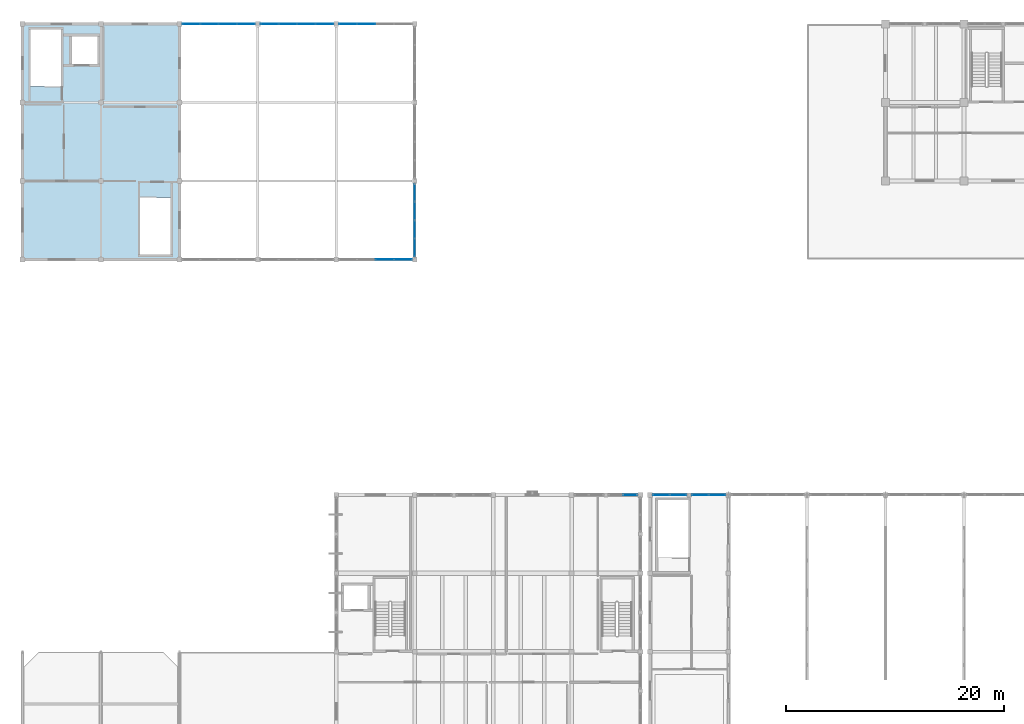
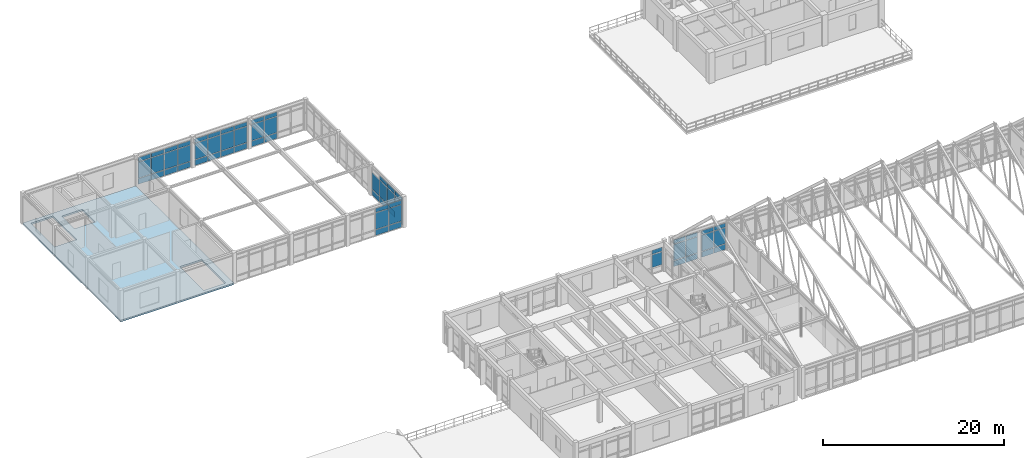
# One storey, part 82 of 136: 61 plates, 1 slab, 8 elements without a shape of their own.
"""IFC4 building model written with IfcOpenShell, lengths in metres."""

from ifc_helpers import new_model, si_unit, direction, frame, origin, origin_2d, place, context, subcontext, project, spatial, polyline, rectangle, outline, extrude, material, layer, layer_set, type_object, element, aggregate, save


model = new_model("IFC4")

# Units and contexts
model_context = context("Model", 3, precision=1e-05, world=origin(), true_north=direction((0.0, 1.0)))
body_context = subcontext(model_context, "Body", "Model", "MODEL_VIEW")
ifc_project = project(units=[si_unit("LENGTHUNIT", "METRE"), si_unit("AREAUNIT", "SQUARE_METRE"), si_unit("VOLUMEUNIT", "CUBIC_METRE"), si_unit("PLANEANGLEUNIT", "RADIAN"), si_unit("MASSUNIT", "GRAM", prefix="KILO")], contexts=[model_context])

# Site, building, storey
site_placement = place(None, origin())
site = spatial("IfcSite", under=ifc_project, at=site_placement, CompositionType="ELEMENT")
building_placement = place(site_placement, origin())
building = spatial("IfcBuilding", under=site, at=building_placement, Name="Koriwan Promenade Central Fire Station", CompositionType="ELEMENT")
storey_placement = place(building_placement, frame((0.0, 0.0, 5.39990234375)))
storey = spatial("IfcBuildingStorey", under=building, at=storey_placement, Name="L01", CompositionType="ELEMENT", Elevation=5.39990234375)

# Curtain wall, plates
ifc_material_1 = material(Name="Aluminium EN AW-6063-T6 and low-E glazing", Category="aluminium")
ifc_layer_1 = layer(ifc_material_1, 0.159912109375, Name="Aluminium EN AW-6063-T6 and low-E glazing")
ifc_layer_set_1 = layer_set([ifc_layer_1], Name="Aluminium EN AW-6063-T6 and low-E glazing")
curtain_wall_type_1 = type_object("IfcCurtainWallType", Name="CurtainWall_95_675x372", PredefinedType="USERDEFINED", material=ifc_layer_set_1)
curtain_wall_1_placement = place(storey_placement, origin())
curtain_wall_1 = element("IfcCurtainWall", 1, at=curtain_wall_1_placement, inside=storey, type_object=curtain_wall_type_1, Name="V6 L01 unitised curtain wall 300", ObjectType="UNITISED CURTAIN WALL", PredefinedType="USERDEFINED")
ifc_material_2 = material(Name="Low-E laminated double glazing", Category="glass")
ifc_layer_2 = layer(ifc_material_2, 0.028076171875, Name="Low-E laminated double glazing")
ifc_layer_set_2 = layer_set([ifc_layer_2], Name="Low-E laminated double glazing")
plate_type_1 = type_object("IfcPlateType", Name="CWPanel_28", PredefinedType="CURTAIN_PANEL", material=ifc_layer_set_2)
plate_1_placement = place(storey_placement, frame((15.485107421875, 115.199951171875, 0.065185546875), z_axis=(0.0, 0.0, 1.0), x_axis=(1.0, 0.0, 0.0)))
plate_1 = element("IfcPlate", 2, at=plate_1_placement, type_object=plate_type_1, Name="CW-95 panel 1.1", PredefinedType="CURTAIN_PANEL", context=body_context, shape_type="SweptSolid", body=[
    extrude(rectangle(XDim=1.590087890625, YDim=0.028076171875, at=origin_2d()), origin(), (0.0, 0.0, 1.0), 0.75244140625),
])
plate_2_placement = place(storey_placement, frame((15.485107421875, 115.199951171875, 0.8828125), z_axis=(0.0, 0.0, 1.0), x_axis=(1.0, 0.0, 0.0)))
plate_2 = element("IfcPlate", 3, at=plate_2_placement, type_object=plate_type_1, Name="CW-95 panel 1.2", PredefinedType="CURTAIN_PANEL", context=body_context, shape_type="SweptSolid", body=[
    extrude(rectangle(XDim=1.590087890625, YDim=0.028076171875, at=origin_2d()), origin(), (0.0, 0.0, 1.0), 2.156005859375),
])
plate_3_placement = place(storey_placement, frame((15.485107421875, 115.199951171875, 3.103515625), z_axis=(0.0, 0.0, 1.0), x_axis=(1.0, 0.0, 0.0)))
plate_3 = element("IfcPlate", 4, at=plate_3_placement, type_object=plate_type_1, Name="CW-95 panel 1.3", PredefinedType="CURTAIN_PANEL", context=body_context, shape_type="SweptSolid", body=[
    extrude(rectangle(XDim=1.590087890625, YDim=0.028076171875, at=origin_2d()), origin(), (0.0, 0.0, 1.0), 0.552490234375),
])
plate_4_placement = place(storey_placement, frame((17.15625, 115.199951171875, 0.065185546875), z_axis=(0.0, 0.0, 1.0), x_axis=(1.0, 0.0, 0.0)))
plate_4 = element("IfcPlate", 5, at=plate_4_placement, type_object=plate_type_1, Name="CW-95 panel 2.1", PredefinedType="CURTAIN_PANEL", context=body_context, shape_type="SweptSolid", body=[
    extrude(rectangle(XDim=1.62255859375, YDim=0.028076171875, at=origin_2d()), origin(), (0.0, 0.0, 1.0), 0.75244140625),
])
plate_5_placement = place(storey_placement, frame((17.15625, 115.199951171875, 0.8828125), z_axis=(0.0, 0.0, 1.0), x_axis=(1.0, 0.0, 0.0)))
plate_5 = element("IfcPlate", 6, at=plate_5_placement, type_object=plate_type_1, Name="CW-95 panel 2.2", PredefinedType="CURTAIN_PANEL", context=body_context, shape_type="SweptSolid", body=[
    extrude(rectangle(XDim=1.62255859375, YDim=0.028076171875, at=origin_2d()), origin(), (0.0, 0.0, 1.0), 2.156005859375),
])
plate_6_placement = place(storey_placement, frame((17.15625, 115.199951171875, 3.103515625), z_axis=(0.0, 0.0, 1.0), x_axis=(1.0, 0.0, 0.0)))
plate_6 = element("IfcPlate", 7, at=plate_6_placement, type_object=plate_type_1, Name="CW-95 panel 2.3", PredefinedType="CURTAIN_PANEL", context=body_context, shape_type="SweptSolid", body=[
    extrude(rectangle(XDim=1.62255859375, YDim=0.028076171875, at=origin_2d()), origin(), (0.0, 0.0, 1.0), 0.552490234375),
])
plate_7_placement = place(storey_placement, frame((18.84375, 115.199951171875, 0.065185546875), z_axis=(0.0, 0.0, 1.0), x_axis=(1.0, 0.0, 0.0)))
plate_7 = element("IfcPlate", 8, at=plate_7_placement, type_object=plate_type_1, Name="CW-95 panel 3.1", PredefinedType="CURTAIN_PANEL", context=body_context, shape_type="SweptSolid", body=[
    extrude(rectangle(XDim=1.62255859375, YDim=0.028076171875, at=origin_2d()), origin(), (0.0, 0.0, 1.0), 0.75244140625),
])
plate_8_placement = place(storey_placement, frame((18.84375, 115.199951171875, 0.8828125), z_axis=(0.0, 0.0, 1.0), x_axis=(1.0, 0.0, 0.0)))
plate_8 = element("IfcPlate", 9, at=plate_8_placement, type_object=plate_type_1, Name="CW-95 panel 3.2", PredefinedType="CURTAIN_PANEL", context=body_context, shape_type="SweptSolid", body=[
    extrude(rectangle(XDim=1.62255859375, YDim=0.028076171875, at=origin_2d()), origin(), (0.0, 0.0, 1.0), 2.156005859375),
])
plate_9_placement = place(storey_placement, frame((18.84375, 115.199951171875, 3.103515625), z_axis=(0.0, 0.0, 1.0), x_axis=(1.0, 0.0, 0.0)))
plate_9 = element("IfcPlate", 10, at=plate_9_placement, type_object=plate_type_1, Name="CW-95 panel 3.3", PredefinedType="CURTAIN_PANEL", context=body_context, shape_type="SweptSolid", body=[
    extrude(rectangle(XDim=1.62255859375, YDim=0.028076171875, at=origin_2d()), origin(), (0.0, 0.0, 1.0), 0.552490234375),
])
plate_10_placement = place(storey_placement, frame((20.514892578125, 115.199951171875, 0.065185546875), z_axis=(0.0, 0.0, 1.0), x_axis=(1.0, 0.0, 0.0)))
plate_10 = element("IfcPlate", 11, at=plate_10_placement, type_object=plate_type_1, Name="CW-95 panel 4.1", PredefinedType="CURTAIN_PANEL", context=body_context, shape_type="SweptSolid", body=[
    extrude(rectangle(XDim=1.590087890625, YDim=0.028076171875, at=origin_2d()), origin(), (0.0, 0.0, 1.0), 0.75244140625),
])
plate_11_placement = place(storey_placement, frame((20.514892578125, 115.199951171875, 0.8828125), z_axis=(0.0, 0.0, 1.0), x_axis=(1.0, 0.0, 0.0)))
plate_11 = element("IfcPlate", 12, at=plate_11_placement, type_object=plate_type_1, Name="CW-95 panel 4.2", PredefinedType="CURTAIN_PANEL", context=body_context, shape_type="SweptSolid", body=[
    extrude(rectangle(XDim=1.590087890625, YDim=0.028076171875, at=origin_2d()), origin(), (0.0, 0.0, 1.0), 2.156005859375),
])
plate_12_placement = place(storey_placement, frame((20.514892578125, 115.199951171875, 3.103515625), z_axis=(0.0, 0.0, 1.0), x_axis=(1.0, 0.0, 0.0)))
plate_12 = element("IfcPlate", 13, at=plate_12_placement, type_object=plate_type_1, Name="CW-95 panel 4.3", PredefinedType="CURTAIN_PANEL", context=body_context, shape_type="SweptSolid", body=[
    extrude(rectangle(XDim=1.590087890625, YDim=0.028076171875, at=origin_2d()), origin(), (0.0, 0.0, 1.0), 0.552490234375),
])
aggregate(curtain_wall_1, [plate_1, plate_2, plate_3, plate_4, plate_5, plate_6, plate_7, plate_8, plate_9, plate_10, plate_11, plate_12])

curtain_wall_2_placement = place(storey_placement, origin())
curtain_wall_2 = element("IfcCurtainWall", 14, at=curtain_wall_2_placement, inside=storey, type_object=curtain_wall_type_1, Name="V6 L01 unitised curtain wall 302", ObjectType="UNITISED CURTAIN WALL", PredefinedType="USERDEFINED")
plate_13_placement = place(storey_placement, frame((22.68505859375, 115.199951171875, 0.065185546875), z_axis=(0.0, 0.0, 1.0), x_axis=(1.0, 0.0, 0.0)))
plate_13 = element("IfcPlate", 15, at=plate_13_placement, type_object=plate_type_1, Name="CW-95 panel 1.1", PredefinedType="CURTAIN_PANEL", context=body_context, shape_type="SweptSolid", body=[
    extrude(rectangle(XDim=1.590087890625, YDim=0.028076171875, at=origin_2d()), origin(), (0.0, 0.0, 1.0), 0.75244140625),
])
plate_14_placement = place(storey_placement, frame((22.68505859375, 115.199951171875, 0.8828125), z_axis=(0.0, 0.0, 1.0), x_axis=(1.0, 0.0, 0.0)))
plate_14 = element("IfcPlate", 16, at=plate_14_placement, type_object=plate_type_1, Name="CW-95 panel 1.2", PredefinedType="CURTAIN_PANEL", context=body_context, shape_type="SweptSolid", body=[
    extrude(rectangle(XDim=1.590087890625, YDim=0.028076171875, at=origin_2d()), origin(), (0.0, 0.0, 1.0), 2.156005859375),
])
plate_15_placement = place(storey_placement, frame((22.68505859375, 115.199951171875, 3.103515625), z_axis=(0.0, 0.0, 1.0), x_axis=(1.0, 0.0, 0.0)))
plate_15 = element("IfcPlate", 17, at=plate_15_placement, type_object=plate_type_1, Name="CW-95 panel 1.3", PredefinedType="CURTAIN_PANEL", context=body_context, shape_type="SweptSolid", body=[
    extrude(rectangle(XDim=1.590087890625, YDim=0.028076171875, at=origin_2d()), origin(), (0.0, 0.0, 1.0), 0.552490234375),
])
plate_16_placement = place(storey_placement, frame((24.356201171875, 115.199951171875, 0.065185546875), z_axis=(0.0, 0.0, 1.0), x_axis=(1.0, 0.0, 0.0)))
plate_16 = element("IfcPlate", 18, at=plate_16_placement, type_object=plate_type_1, Name="CW-95 panel 2.1", PredefinedType="CURTAIN_PANEL", context=body_context, shape_type="SweptSolid", body=[
    extrude(rectangle(XDim=1.62255859375, YDim=0.028076171875, at=origin_2d()), origin(), (0.0, 0.0, 1.0), 0.75244140625),
])
plate_17_placement = place(storey_placement, frame((24.356201171875, 115.199951171875, 0.8828125), z_axis=(0.0, 0.0, 1.0), x_axis=(1.0, 0.0, 0.0)))
plate_17 = element("IfcPlate", 19, at=plate_17_placement, type_object=plate_type_1, Name="CW-95 panel 2.2", PredefinedType="CURTAIN_PANEL", context=body_context, shape_type="SweptSolid", body=[
    extrude(rectangle(XDim=1.62255859375, YDim=0.028076171875, at=origin_2d()), origin(), (0.0, 0.0, 1.0), 2.156005859375),
])
plate_18_placement = place(storey_placement, frame((24.356201171875, 115.199951171875, 3.103515625), z_axis=(0.0, 0.0, 1.0), x_axis=(1.0, 0.0, 0.0)))
plate_18 = element("IfcPlate", 20, at=plate_18_placement, type_object=plate_type_1, Name="CW-95 panel 2.3", PredefinedType="CURTAIN_PANEL", context=body_context, shape_type="SweptSolid", body=[
    extrude(rectangle(XDim=1.62255859375, YDim=0.028076171875, at=origin_2d()), origin(), (0.0, 0.0, 1.0), 0.552490234375),
])
plate_19_placement = place(storey_placement, frame((26.043701171875, 115.199951171875, 0.065185546875), z_axis=(0.0, 0.0, 1.0), x_axis=(1.0, 0.0, 0.0)))
plate_19 = element("IfcPlate", 21, at=plate_19_placement, type_object=plate_type_1, Name="CW-95 panel 3.1", PredefinedType="CURTAIN_PANEL", context=body_context, shape_type="SweptSolid", body=[
    extrude(rectangle(XDim=1.62255859375, YDim=0.028076171875, at=origin_2d()), origin(), (0.0, 0.0, 1.0), 0.75244140625),
])
plate_20_placement = place(storey_placement, frame((26.043701171875, 115.199951171875, 0.8828125), z_axis=(0.0, 0.0, 1.0), x_axis=(1.0, 0.0, 0.0)))
plate_20 = element("IfcPlate", 22, at=plate_20_placement, type_object=plate_type_1, Name="CW-95 panel 3.2", PredefinedType="CURTAIN_PANEL", context=body_context, shape_type="SweptSolid", body=[
    extrude(rectangle(XDim=1.62255859375, YDim=0.028076171875, at=origin_2d()), origin(), (0.0, 0.0, 1.0), 2.156005859375),
])
plate_21_placement = place(storey_placement, frame((26.043701171875, 115.199951171875, 3.103515625), z_axis=(0.0, 0.0, 1.0), x_axis=(1.0, 0.0, 0.0)))
plate_21 = element("IfcPlate", 23, at=plate_21_placement, type_object=plate_type_1, Name="CW-95 panel 3.3", PredefinedType="CURTAIN_PANEL", context=body_context, shape_type="SweptSolid", body=[
    extrude(rectangle(XDim=1.62255859375, YDim=0.028076171875, at=origin_2d()), origin(), (0.0, 0.0, 1.0), 0.552490234375),
])
plate_22_placement = place(storey_placement, frame((27.715087890625, 115.199951171875, 0.065185546875), z_axis=(0.0, 0.0, 1.0), x_axis=(1.0, 0.0, 0.0)))
plate_22 = element("IfcPlate", 24, at=plate_22_placement, type_object=plate_type_1, Name="CW-95 panel 4.1", PredefinedType="CURTAIN_PANEL", context=body_context, shape_type="SweptSolid", body=[
    extrude(rectangle(XDim=1.590087890625, YDim=0.028076171875, at=origin_2d()), origin(), (0.0, 0.0, 1.0), 0.75244140625),
])
plate_23_placement = place(storey_placement, frame((27.715087890625, 115.199951171875, 0.8828125), z_axis=(0.0, 0.0, 1.0), x_axis=(1.0, 0.0, 0.0)))
plate_23 = element("IfcPlate", 25, at=plate_23_placement, type_object=plate_type_1, Name="CW-95 panel 4.2", PredefinedType="CURTAIN_PANEL", context=body_context, shape_type="SweptSolid", body=[
    extrude(rectangle(XDim=1.590087890625, YDim=0.028076171875, at=origin_2d()), origin(), (0.0, 0.0, 1.0), 2.156005859375),
])
plate_24_placement = place(storey_placement, frame((27.715087890625, 115.199951171875, 3.103515625), z_axis=(0.0, 0.0, 1.0), x_axis=(1.0, 0.0, 0.0)))
plate_24 = element("IfcPlate", 26, at=plate_24_placement, type_object=plate_type_1, Name="CW-95 panel 4.3", PredefinedType="CURTAIN_PANEL", context=body_context, shape_type="SweptSolid", body=[
    extrude(rectangle(XDim=1.590087890625, YDim=0.028076171875, at=origin_2d()), origin(), (0.0, 0.0, 1.0), 0.552490234375),
])
aggregate(curtain_wall_2, [plate_13, plate_14, plate_15, plate_16, plate_17, plate_18, plate_19, plate_20, plate_21, plate_22, plate_23, plate_24])

ifc_layer_3 = layer(ifc_material_1, 0.159912109375, Name="Aluminium EN AW-6063-T6 and low-E glazing")
ifc_layer_set_3 = layer_set([ifc_layer_3], Name="Aluminium EN AW-6063-T6 and low-E glazing")
curtain_wall_type_2 = type_object("IfcCurtainWallType", Name="CurtainWall_94_675x378", PredefinedType="USERDEFINED", material=ifc_layer_set_3)
curtain_wall_3_placement = place(storey_placement, origin())
curtain_wall_3 = element("IfcCurtainWall", 27, at=curtain_wall_3_placement, inside=storey, type_object=curtain_wall_type_2, Name="V6 L01 unitised curtain wall 303", ObjectType="UNITISED CURTAIN WALL", PredefinedType="USERDEFINED")
plate_25_placement = place(storey_placement, frame((33.24365234375, 93.60009765625, 0.065185546875), z_axis=(0.0, 0.0, 1.0), x_axis=(1.0, 0.0, 0.0)))
plate_25 = element("IfcPlate", 28, at=plate_25_placement, type_object=plate_type_1, Name="CW-94 panel 3.1", PredefinedType="CURTAIN_PANEL", context=body_context, shape_type="SweptSolid", body=[
    extrude(rectangle(XDim=1.62255859375, YDim=0.028076171875, at=origin_2d()), origin(), (0.0, 0.0, 1.0), 0.75244140625),
])
plate_26_placement = place(storey_placement, frame((33.24365234375, 93.60009765625, 0.882568359375), z_axis=(0.0, 0.0, 1.0), x_axis=(1.0, 0.0, 0.0)))
plate_26 = element("IfcPlate", 29, at=plate_26_placement, type_object=plate_type_1, Name="CW-94 panel 3.2", PredefinedType="CURTAIN_PANEL", context=body_context, shape_type="SweptSolid", body=[
    extrude(rectangle(XDim=1.62255859375, YDim=0.028076171875, at=origin_2d()), origin(), (0.0, 0.0, 1.0), 2.2099609375),
])
plate_27_placement = place(storey_placement, frame((33.24365234375, 93.60009765625, 3.15771484375), z_axis=(0.0, 0.0, 1.0), x_axis=(1.0, 0.0, 0.0)))
plate_27 = element("IfcPlate", 30, at=plate_27_placement, type_object=plate_type_1, Name="CW-94 panel 3.3", PredefinedType="CURTAIN_PANEL", context=body_context, shape_type="SweptSolid", body=[
    extrude(rectangle(XDim=1.62255859375, YDim=0.028076171875, at=origin_2d()), origin(), (0.0, 0.0, 1.0), 0.552490234375),
])
plate_28_placement = place(storey_placement, frame((34.9150390625, 93.60009765625, 0.065185546875), z_axis=(0.0, 0.0, 1.0), x_axis=(1.0, 0.0, 0.0)))
plate_28 = element("IfcPlate", 31, at=plate_28_placement, type_object=plate_type_1, Name="CW-94 panel 4.1", PredefinedType="CURTAIN_PANEL", context=body_context, shape_type="SweptSolid", body=[
    extrude(rectangle(XDim=1.590087890625, YDim=0.028076171875, at=origin_2d()), origin(), (0.0, 0.0, 1.0), 0.75244140625),
])
plate_29_placement = place(storey_placement, frame((34.9150390625, 93.60009765625, 0.882568359375), z_axis=(0.0, 0.0, 1.0), x_axis=(1.0, 0.0, 0.0)))
plate_29 = element("IfcPlate", 32, at=plate_29_placement, type_object=plate_type_1, Name="CW-94 panel 4.2", PredefinedType="CURTAIN_PANEL", context=body_context, shape_type="SweptSolid", body=[
    extrude(rectangle(XDim=1.590087890625, YDim=0.028076171875, at=origin_2d()), origin(), (0.0, 0.0, 1.0), 2.2099609375),
])
plate_30_placement = place(storey_placement, frame((34.9150390625, 93.60009765625, 3.15771484375), z_axis=(0.0, 0.0, 1.0), x_axis=(1.0, 0.0, 0.0)))
plate_30 = element("IfcPlate", 33, at=plate_30_placement, type_object=plate_type_1, Name="CW-94 panel 4.3", PredefinedType="CURTAIN_PANEL", context=body_context, shape_type="SweptSolid", body=[
    extrude(rectangle(XDim=1.590087890625, YDim=0.028076171875, at=origin_2d()), origin(), (0.0, 0.0, 1.0), 0.552490234375),
])
aggregate(curtain_wall_3, [plate_25, plate_26, plate_27, plate_28, plate_29, plate_30])

curtain_wall_4_placement = place(storey_placement, origin())
curtain_wall_4 = element("IfcCurtainWall", 34, at=curtain_wall_4_placement, inside=storey, type_object=curtain_wall_type_1, Name="V6 L01 unitised curtain wall 304", ObjectType="UNITISED CURTAIN WALL", PredefinedType="USERDEFINED")
plate_31_placement = place(storey_placement, frame((29.885009765625, 115.199951171875, 0.065185546875), z_axis=(0.0, 0.0, 1.0), x_axis=(1.0, 0.0, 0.0)))
plate_31 = element("IfcPlate", 35, at=plate_31_placement, type_object=plate_type_1, Name="CW-95 panel 1.1", PredefinedType="CURTAIN_PANEL", context=body_context, shape_type="SweptSolid", body=[
    extrude(rectangle(XDim=1.590087890625, YDim=0.028076171875, at=origin_2d()), origin(), (0.0, 0.0, 1.0), 0.75244140625),
])
plate_32_placement = place(storey_placement, frame((29.885009765625, 115.199951171875, 0.8828125), z_axis=(0.0, 0.0, 1.0), x_axis=(1.0, 0.0, 0.0)))
plate_32 = element("IfcPlate", 36, at=plate_32_placement, type_object=plate_type_1, Name="CW-95 panel 1.2", PredefinedType="CURTAIN_PANEL", context=body_context, shape_type="SweptSolid", body=[
    extrude(rectangle(XDim=1.590087890625, YDim=0.028076171875, at=origin_2d()), origin(), (0.0, 0.0, 1.0), 2.156005859375),
])
plate_33_placement = place(storey_placement, frame((29.885009765625, 115.199951171875, 3.103515625), z_axis=(0.0, 0.0, 1.0), x_axis=(1.0, 0.0, 0.0)))
plate_33 = element("IfcPlate", 37, at=plate_33_placement, type_object=plate_type_1, Name="CW-95 panel 1.3", PredefinedType="CURTAIN_PANEL", context=body_context, shape_type="SweptSolid", body=[
    extrude(rectangle(XDim=1.590087890625, YDim=0.028076171875, at=origin_2d()), origin(), (0.0, 0.0, 1.0), 0.552490234375),
])
plate_34_placement = place(storey_placement, frame((31.55615234375, 115.199951171875, 0.065185546875), z_axis=(0.0, 0.0, 1.0), x_axis=(1.0, 0.0, 0.0)))
plate_34 = element("IfcPlate", 38, at=plate_34_placement, type_object=plate_type_1, Name="CW-95 panel 2.1", PredefinedType="CURTAIN_PANEL", context=body_context, shape_type="SweptSolid", body=[
    extrude(rectangle(XDim=1.62255859375, YDim=0.028076171875, at=origin_2d()), origin(), (0.0, 0.0, 1.0), 0.75244140625),
])
plate_35_placement = place(storey_placement, frame((31.55615234375, 115.199951171875, 0.8828125), z_axis=(0.0, 0.0, 1.0), x_axis=(1.0, 0.0, 0.0)))
plate_35 = element("IfcPlate", 39, at=plate_35_placement, type_object=plate_type_1, Name="CW-95 panel 2.2", PredefinedType="CURTAIN_PANEL", context=body_context, shape_type="SweptSolid", body=[
    extrude(rectangle(XDim=1.62255859375, YDim=0.028076171875, at=origin_2d()), origin(), (0.0, 0.0, 1.0), 2.156005859375),
])
plate_36_placement = place(storey_placement, frame((31.55615234375, 115.199951171875, 3.103515625), z_axis=(0.0, 0.0, 1.0), x_axis=(1.0, 0.0, 0.0)))
plate_36 = element("IfcPlate", 40, at=plate_36_placement, type_object=plate_type_1, Name="CW-95 panel 2.3", PredefinedType="CURTAIN_PANEL", context=body_context, shape_type="SweptSolid", body=[
    extrude(rectangle(XDim=1.62255859375, YDim=0.028076171875, at=origin_2d()), origin(), (0.0, 0.0, 1.0), 0.552490234375),
])
aggregate(curtain_wall_4, [plate_31, plate_32, plate_33, plate_34, plate_35, plate_36])

ifc_layer_4 = layer(ifc_material_1, 0.159912109375, Name="Aluminium EN AW-6063-T6 and low-E glazing")
ifc_layer_set_4 = layer_set([ifc_layer_4], Name="Aluminium EN AW-6063-T6 and low-E glazing")
curtain_wall_type_3 = type_object("IfcCurtainWallType", Name="CurtainWall_96_675x377", PredefinedType="USERDEFINED", material=ifc_layer_set_4)
curtain_wall_5_placement = place(storey_placement, origin())
curtain_wall_5 = element("IfcCurtainWall", 41, at=curtain_wall_5_placement, inside=storey, type_object=curtain_wall_type_3, Name="V6 L01 unitised curtain wall 305", ObjectType="UNITISED CURTAIN WALL", PredefinedType="USERDEFINED")
plate_37_placement = place(storey_placement, frame((36.0, 94.68505859375, 0.065185546875), z_axis=(0.0, 0.0, 1.0), x_axis=(0.0, 1.0, 0.0)))
plate_37 = element("IfcPlate", 42, at=plate_37_placement, type_object=plate_type_1, Name="CW-96 panel 1.1", PredefinedType="CURTAIN_PANEL", context=body_context, shape_type="SweptSolid", body=[
    extrude(rectangle(XDim=1.590087890625, YDim=0.028076171875, at=origin_2d()), origin(), (0.0, 0.0, 1.0), 0.75244140625),
])
plate_38_placement = place(storey_placement, frame((36.0, 94.68505859375, 0.882568359375), z_axis=(0.0, 0.0, 1.0), x_axis=(0.0, 1.0, 0.0)))
plate_38 = element("IfcPlate", 43, at=plate_38_placement, type_object=plate_type_1, Name="CW-96 panel 1.2", PredefinedType="CURTAIN_PANEL", context=body_context, shape_type="SweptSolid", body=[
    extrude(rectangle(XDim=1.590087890625, YDim=0.028076171875, at=origin_2d()), origin(), (0.0, 0.0, 1.0), 2.2080078125),
])
plate_39_placement = place(storey_placement, frame((36.0, 94.68505859375, 3.15576171875), z_axis=(0.0, 0.0, 1.0), x_axis=(0.0, 1.0, 0.0)))
plate_39 = element("IfcPlate", 44, at=plate_39_placement, type_object=plate_type_1, Name="CW-96 panel 1.3", PredefinedType="CURTAIN_PANEL", context=body_context, shape_type="SweptSolid", body=[
    extrude(rectangle(XDim=1.590087890625, YDim=0.028076171875, at=origin_2d()), origin(), (0.0, 0.0, 1.0), 0.552490234375),
])
plate_40_placement = place(storey_placement, frame((36.0, 96.356201171875, 0.065185546875), z_axis=(0.0, 0.0, 1.0), x_axis=(0.0, 1.0, 0.0)))
plate_40 = element("IfcPlate", 45, at=plate_40_placement, type_object=plate_type_1, Name="CW-96 panel 2.1", PredefinedType="CURTAIN_PANEL", context=body_context, shape_type="SweptSolid", body=[
    extrude(rectangle(XDim=1.62255859375, YDim=0.028076171875, at=origin_2d()), origin(), (0.0, 0.0, 1.0), 0.75244140625),
])
plate_41_placement = place(storey_placement, frame((36.0, 96.356201171875, 0.882568359375), z_axis=(0.0, 0.0, 1.0), x_axis=(0.0, 1.0, 0.0)))
plate_41 = element("IfcPlate", 46, at=plate_41_placement, type_object=plate_type_1, Name="CW-96 panel 2.2", PredefinedType="CURTAIN_PANEL", context=body_context, shape_type="SweptSolid", body=[
    extrude(rectangle(XDim=1.62255859375, YDim=0.028076171875, at=origin_2d()), origin(), (0.0, 0.0, 1.0), 2.2080078125),
])
plate_42_placement = place(storey_placement, frame((36.0, 96.356201171875, 3.15576171875), z_axis=(0.0, 0.0, 1.0), x_axis=(0.0, 1.0, 0.0)))
plate_42 = element("IfcPlate", 47, at=plate_42_placement, type_object=plate_type_1, Name="CW-96 panel 2.3", PredefinedType="CURTAIN_PANEL", context=body_context, shape_type="SweptSolid", body=[
    extrude(rectangle(XDim=1.62255859375, YDim=0.028076171875, at=origin_2d()), origin(), (0.0, 0.0, 1.0), 0.552490234375),
])
plate_43_placement = place(storey_placement, frame((36.0, 98.043701171875, 0.065185546875), z_axis=(0.0, 0.0, 1.0), x_axis=(0.0, 1.0, 0.0)))
plate_43 = element("IfcPlate", 48, at=plate_43_placement, type_object=plate_type_1, Name="CW-96 panel 3.1", PredefinedType="CURTAIN_PANEL", context=body_context, shape_type="SweptSolid", body=[
    extrude(rectangle(XDim=1.62255859375, YDim=0.028076171875, at=origin_2d()), origin(), (0.0, 0.0, 1.0), 0.75244140625),
])
plate_44_placement = place(storey_placement, frame((36.0, 98.043701171875, 0.882568359375), z_axis=(0.0, 0.0, 1.0), x_axis=(0.0, 1.0, 0.0)))
plate_44 = element("IfcPlate", 49, at=plate_44_placement, type_object=plate_type_1, Name="CW-96 panel 3.2", PredefinedType="CURTAIN_PANEL", context=body_context, shape_type="SweptSolid", body=[
    extrude(rectangle(XDim=1.62255859375, YDim=0.028076171875, at=origin_2d()), origin(), (0.0, 0.0, 1.0), 2.2080078125),
])
plate_45_placement = place(storey_placement, frame((36.0, 98.043701171875, 3.15576171875), z_axis=(0.0, 0.0, 1.0), x_axis=(0.0, 1.0, 0.0)))
plate_45 = element("IfcPlate", 50, at=plate_45_placement, type_object=plate_type_1, Name="CW-96 panel 3.3", PredefinedType="CURTAIN_PANEL", context=body_context, shape_type="SweptSolid", body=[
    extrude(rectangle(XDim=1.62255859375, YDim=0.028076171875, at=origin_2d()), origin(), (0.0, 0.0, 1.0), 0.552490234375),
])
plate_46_placement = place(storey_placement, frame((36.0, 99.715087890625, 0.065185546875), z_axis=(0.0, 0.0, 1.0), x_axis=(0.0, 1.0, 0.0)))
plate_46 = element("IfcPlate", 51, at=plate_46_placement, type_object=plate_type_1, Name="CW-96 panel 4.1", PredefinedType="CURTAIN_PANEL", context=body_context, shape_type="SweptSolid", body=[
    extrude(rectangle(XDim=1.590087890625, YDim=0.028076171875, at=origin_2d()), origin(), (0.0, 0.0, 1.0), 0.75244140625),
])
plate_47_placement = place(storey_placement, frame((36.0, 99.715087890625, 0.882568359375), z_axis=(0.0, 0.0, 1.0), x_axis=(0.0, 1.0, 0.0)))
plate_47 = element("IfcPlate", 52, at=plate_47_placement, type_object=plate_type_1, Name="CW-96 panel 4.2", PredefinedType="CURTAIN_PANEL", context=body_context, shape_type="SweptSolid", body=[
    extrude(rectangle(XDim=1.590087890625, YDim=0.028076171875, at=origin_2d()), origin(), (0.0, 0.0, 1.0), 2.2080078125),
])
aggregate(curtain_wall_5, [plate_37, plate_38, plate_39, plate_40, plate_41, plate_42, plate_43, plate_44, plate_45, plate_46, plate_47])

ifc_layer_5 = layer(ifc_material_1, 0.159912109375, Name="Aluminium EN AW-6063-T6 and low-E glazing")
ifc_layer_set_5 = layer_set([ifc_layer_5], Name="Aluminium EN AW-6063-T6 and low-E glazing")
curtain_wall_type_4 = type_object("IfcCurtainWallType", Name="CurtainWall_01_317x372", PredefinedType="USERDEFINED", material=ifc_layer_set_5)
curtain_wall_6_placement = place(storey_placement, origin())
curtain_wall_6 = element("IfcCurtainWall", 53, at=curtain_wall_6_placement, inside=storey, type_object=curtain_wall_type_4, Name="V1 L01 unitised curtain wall 001", ObjectType="UNITISED CURTAIN WALL", PredefinedType="USERDEFINED")
ifc_material_3 = material(Name="Solar-control low-E acoustic glazing", Category="glass")
ifc_layer_6 = layer(ifc_material_3, 0.031982421875, Name="Solar-control low-E acoustic glazing")
ifc_layer_set_6 = layer_set([ifc_layer_6], Name="Solar-control low-E acoustic glazing")
plate_type_2 = type_object("IfcPlateType", Name="CWPanel_32", PredefinedType="CURTAIN_PANEL", material=ifc_layer_set_6)
plate_48_placement = place(storey_placement, frame((58.637451171875, 72.0, 0.0751953125), z_axis=(0.0, 0.0, 1.0), x_axis=(1.0, 0.0, 0.0)))
plate_48 = element("IfcPlate", 54, at=plate_48_placement, type_object=plate_type_2, Name="CW-01 panel 1.1", PredefinedType="CURTAIN_PANEL", context=body_context, shape_type="SweptSolid", body=[
    extrude(rectangle(XDim=1.47509765625, YDim=0.031982421875, at=origin_2d()), origin(), (0.0, 0.0, 1.0), 0.737548828125),
])
plate_49_placement = place(storey_placement, frame((58.637451171875, 72.0, 0.8876953125), z_axis=(0.0, 0.0, 1.0), x_axis=(1.0, 0.0, 0.0)))
plate_49 = element("IfcPlate", 55, at=plate_49_placement, type_object=plate_type_2, Name="CW-01 panel 1.2", PredefinedType="CURTAIN_PANEL", context=body_context, shape_type="SweptSolid", body=[
    extrude(rectangle(XDim=1.47509765625, YDim=0.031982421875, at=origin_2d()), origin(), (0.0, 0.0, 1.0), 2.14599609375),
])
plate_50_placement = place(storey_placement, frame((58.637451171875, 72.0, 3.108642578125), z_axis=(0.0, 0.0, 1.0), x_axis=(1.0, 0.0, 0.0)))
plate_50 = element("IfcPlate", 56, at=plate_50_placement, type_object=plate_type_2, Name="CW-01 panel 1.3", PredefinedType="CURTAIN_PANEL", context=body_context, shape_type="SweptSolid", body=[
    extrude(rectangle(XDim=1.47509765625, YDim=0.031982421875, at=origin_2d()), origin(), (0.0, 0.0, 1.0), 0.53759765625),
])
plate_51_placement = place(storey_placement, frame((60.1875, 72.0, 0.0751953125), z_axis=(0.0, 0.0, 1.0), x_axis=(1.0, 0.0, 0.0)))
plate_51 = element("IfcPlate", 57, at=plate_51_placement, type_object=plate_type_2, Name="CW-01 panel 2.1", PredefinedType="CURTAIN_PANEL", context=body_context, shape_type="SweptSolid", body=[
    extrude(rectangle(XDim=1.47509765625, YDim=0.031982421875, at=origin_2d()), origin(), (0.0, 0.0, 1.0), 0.737548828125),
])
plate_52_placement = place(storey_placement, frame((60.1875, 72.0, 0.8876953125), z_axis=(0.0, 0.0, 1.0), x_axis=(1.0, 0.0, 0.0)))
plate_52 = element("IfcPlate", 58, at=plate_52_placement, type_object=plate_type_2, Name="CW-01 panel 2.2", PredefinedType="CURTAIN_PANEL", context=body_context, shape_type="SweptSolid", body=[
    extrude(rectangle(XDim=1.47509765625, YDim=0.031982421875, at=origin_2d()), origin(), (0.0, 0.0, 1.0), 2.14599609375),
])
plate_53_placement = place(storey_placement, frame((60.1875, 72.0, 3.108642578125), z_axis=(0.0, 0.0, 1.0), x_axis=(1.0, 0.0, 0.0)))
plate_53 = element("IfcPlate", 59, at=plate_53_placement, type_object=plate_type_2, Name="CW-01 panel 2.3", PredefinedType="CURTAIN_PANEL", context=body_context, shape_type="SweptSolid", body=[
    extrude(rectangle(XDim=1.47509765625, YDim=0.031982421875, at=origin_2d()), origin(), (0.0, 0.0, 1.0), 0.53759765625),
])
aggregate(curtain_wall_6, [plate_48, plate_49, plate_50, plate_51, plate_52, plate_53])

ifc_layer_7 = layer(ifc_material_1, 0.159912109375, Name="Aluminium EN AW-6063-T6 and low-E glazing")
ifc_layer_set_7 = layer_set([ifc_layer_7], Name="Aluminium EN AW-6063-T6 and low-E glazing")
curtain_wall_type_5 = type_object("IfcCurtainWallType", Name="CurtainWall_02_318x372", PredefinedType="USERDEFINED", material=ifc_layer_set_7)
curtain_wall_7_placement = place(storey_placement, origin())
curtain_wall_7 = element("IfcCurtainWall", 60, at=curtain_wall_7_placement, inside=storey, type_object=curtain_wall_type_5, Name="V1 L01 unitised curtain wall 002", ObjectType="UNITISED CURTAIN WALL", PredefinedType="USERDEFINED")
plate_54_placement = place(storey_placement, frame((62.21240234375, 72.0, 0.0751953125), z_axis=(0.0, 0.0, 1.0), x_axis=(1.0, 0.0, 0.0)))
plate_54 = element("IfcPlate", 61, at=plate_54_placement, type_object=plate_type_2, Name="CW-02 panel 1.1", PredefinedType="CURTAIN_PANEL", context=body_context, shape_type="SweptSolid", body=[
    extrude(rectangle(XDim=1.47509765625, YDim=0.031982421875, at=origin_2d()), origin(), (0.0, 0.0, 1.0), 0.737548828125),
])
plate_55_placement = place(storey_placement, frame((62.21240234375, 72.0, 0.8876953125), z_axis=(0.0, 0.0, 1.0), x_axis=(1.0, 0.0, 0.0)))
plate_55 = element("IfcPlate", 62, at=plate_55_placement, type_object=plate_type_2, Name="CW-02 panel 1.2", PredefinedType="CURTAIN_PANEL", context=body_context, shape_type="SweptSolid", body=[
    extrude(rectangle(XDim=1.47509765625, YDim=0.031982421875, at=origin_2d()), origin(), (0.0, 0.0, 1.0), 2.14599609375),
])
plate_56_placement = place(storey_placement, frame((62.21240234375, 72.0, 3.108642578125), z_axis=(0.0, 0.0, 1.0), x_axis=(1.0, 0.0, 0.0)))
plate_56 = element("IfcPlate", 63, at=plate_56_placement, type_object=plate_type_2, Name="CW-02 panel 1.3", PredefinedType="CURTAIN_PANEL", context=body_context, shape_type="SweptSolid", body=[
    extrude(rectangle(XDim=1.47509765625, YDim=0.031982421875, at=origin_2d()), origin(), (0.0, 0.0, 1.0), 0.53759765625),
])
plate_57_placement = place(storey_placement, frame((63.762451171875, 72.0, 0.0751953125), z_axis=(0.0, 0.0, 1.0), x_axis=(1.0, 0.0, 0.0)))
plate_57 = element("IfcPlate", 64, at=plate_57_placement, type_object=plate_type_2, Name="CW-02 panel 2.1", PredefinedType="CURTAIN_PANEL", context=body_context, shape_type="SweptSolid", body=[
    extrude(rectangle(XDim=1.47509765625, YDim=0.031982421875, at=origin_2d()), origin(), (0.0, 0.0, 1.0), 0.737548828125),
])
plate_58_placement = place(storey_placement, frame((63.762451171875, 72.0, 0.8876953125), z_axis=(0.0, 0.0, 1.0), x_axis=(1.0, 0.0, 0.0)))
plate_58 = element("IfcPlate", 65, at=plate_58_placement, type_object=plate_type_2, Name="CW-02 panel 2.2", PredefinedType="CURTAIN_PANEL", context=body_context, shape_type="SweptSolid", body=[
    extrude(rectangle(XDim=1.47509765625, YDim=0.031982421875, at=origin_2d()), origin(), (0.0, 0.0, 1.0), 2.14599609375),
])
plate_59_placement = place(storey_placement, frame((63.762451171875, 72.0, 3.108642578125), z_axis=(0.0, 0.0, 1.0), x_axis=(1.0, 0.0, 0.0)))
plate_59 = element("IfcPlate", 66, at=plate_59_placement, type_object=plate_type_2, Name="CW-02 panel 2.3", PredefinedType="CURTAIN_PANEL", context=body_context, shape_type="SweptSolid", body=[
    extrude(rectangle(XDim=1.47509765625, YDim=0.031982421875, at=origin_2d()), origin(), (0.0, 0.0, 1.0), 0.53759765625),
])
aggregate(curtain_wall_7, [plate_54, plate_55, plate_56, plate_57, plate_58, plate_59])

ifc_layer_8 = layer(ifc_material_1, 0.159912109375, Name="Aluminium EN AW-6063-T6 and low-E glazing")
ifc_layer_set_8 = layer_set([ifc_layer_8], Name="Aluminium EN AW-6063-T6 and low-E glazing")
curtain_wall_type_6 = type_object("IfcCurtainWallType", Name="CurtainWall_47_273x329", PredefinedType="USERDEFINED", material=ifc_layer_set_8)
curtain_wall_8_placement = place(storey_placement, origin())
curtain_wall_8 = element("IfcCurtainWall", 67, at=curtain_wall_8_placement, inside=storey, type_object=curtain_wall_type_6, Name="V4 L01 unitised curtain wall 117", ObjectType="UNITISED CURTAIN WALL", PredefinedType="USERDEFINED")
plate_60_placement = place(storey_placement, frame((55.77490234375, 72.0, 0.8876953125), z_axis=(0.0, 0.0, 1.0), x_axis=(-1.0, 0.0, 0.0)))
plate_60 = element("IfcPlate", 68, at=plate_60_placement, type_object=plate_type_2, Name="CW-47 panel 1.2", PredefinedType="CURTAIN_PANEL", context=body_context, shape_type="SweptSolid", body=[
    extrude(rectangle(XDim=1.25, YDim=0.031982421875, at=origin_2d()), origin(), (0.0, 0.0, 1.0), 1.715087890625),
])
plate_61_placement = place(storey_placement, frame((55.77490234375, 72.0, 2.677490234375), z_axis=(0.0, 0.0, 1.0), x_axis=(-1.0, 0.0, 0.0)))
plate_61 = element("IfcPlate", 69, at=plate_61_placement, type_object=plate_type_2, Name="CW-47 panel 1.3", PredefinedType="CURTAIN_PANEL", context=body_context, shape_type="SweptSolid", body=[
    extrude(rectangle(XDim=1.25, YDim=0.031982421875, at=origin_2d()), origin(), (0.0, 0.0, 1.0), 0.53759765625),
])
aggregate(curtain_wall_8, [plate_60, plate_61])

# Slab
ifc_material_4 = material(Name="Concrete C35/45", Category="concrete")
ifc_layer_9 = layer(ifc_material_4, 0.219970703125, Name="Concrete C35/45")
ifc_layer_set_9 = layer_set([ifc_layer_9], Name="Concrete C35/45")
slab_type = type_object("IfcSlabType", Name="FloorSlab_220", PredefinedType="FLOOR", material=ifc_layer_set_9)
slab_placement = place(storey_placement, frame((0.0, 0.0, -0.219970703125)))
element("IfcSlab", 70, at=slab_placement, inside=storey, type_object=slab_type, Name="V6 L01 structural slab 1", PredefinedType="FLOOR", context=body_context, shape_type="SweptSolid", body=[
    extrude(outline(polyline([(14.39990234375, 115.199951171875), (14.39990234375, 93.60009765625), (0.0, 93.60009765625), (0.0, 115.199951171875), (14.39990234375, 115.199951171875)]), holes=[polyline([(3.550048828125, 109.471923828125), (3.550048828125, 114.7099609375), (0.760009765625, 114.7099609375), (0.760009765625, 109.471923828125), (3.550048828125, 109.471923828125)]), polyline([(10.81005859375, 94.0400390625), (13.60009765625, 94.0400390625), (13.60009765625, 99.278076171875), (10.81005859375, 99.278076171875), (10.81005859375, 94.0400390625)]), polyline([(7.0, 114.199951171875), (4.39990234375, 114.199951171875), (4.39990234375, 111.39990234375), (7.0, 111.39990234375), (7.0, 114.199951171875)])]), origin(), (0.0, 0.0, 1.0), 0.219970703125),
])

save(model, "model.ifc")
